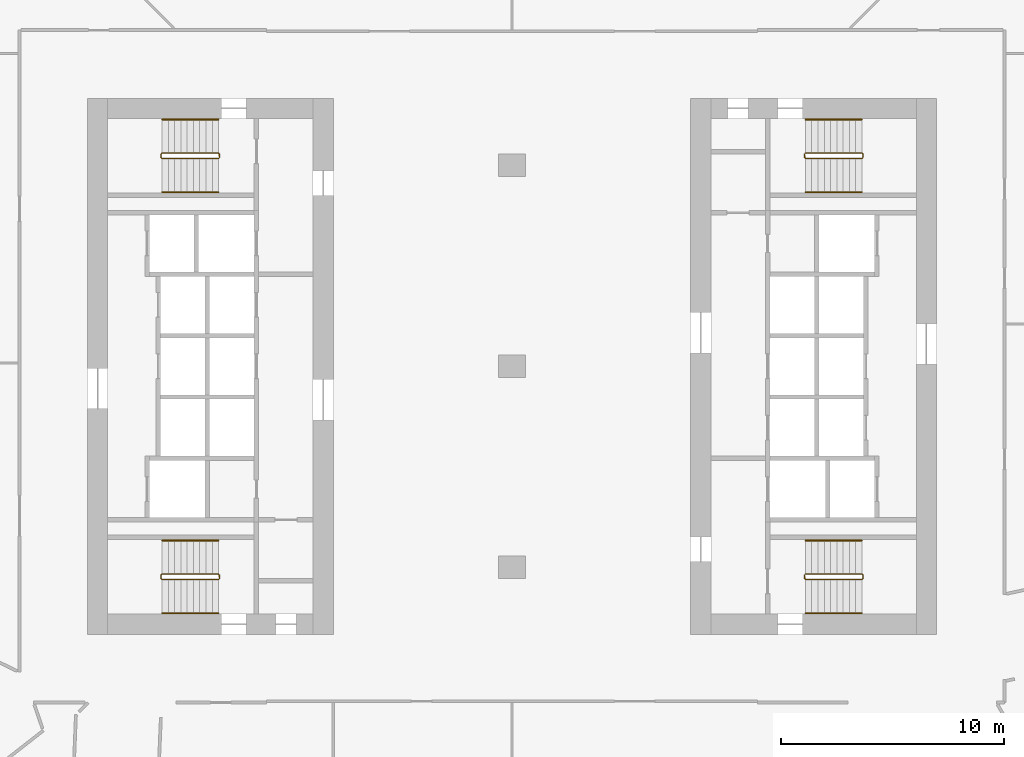
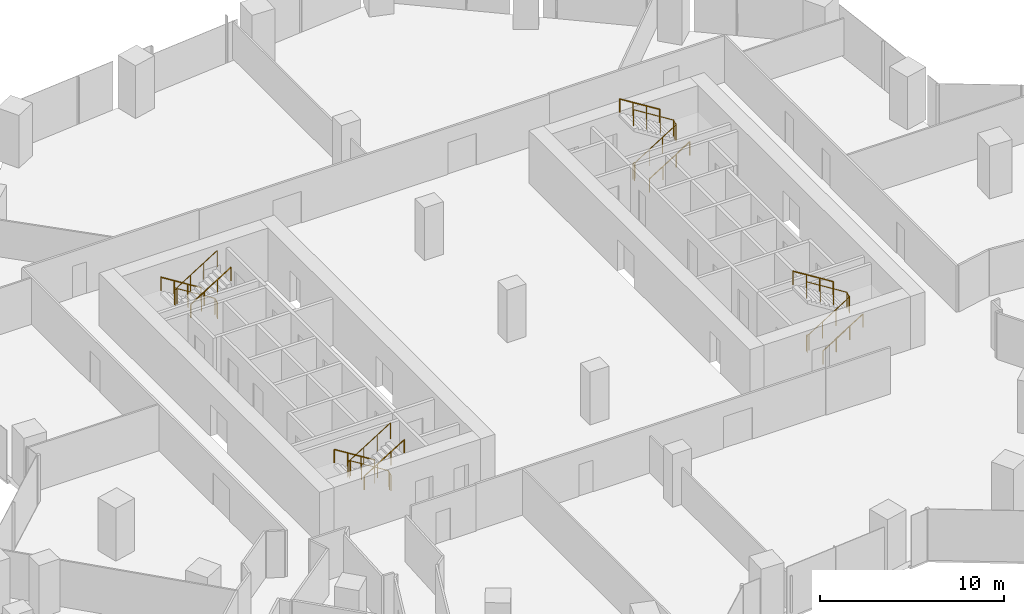
# One storey, part 33 of 33: 12 railings.
"""IFC4 building model written with IfcOpenShell, lengths in metres."""

from ifc_helpers import new_model, si_unit, direction, frame, origin, origin_2d, place, context, subcontext, project, spatial, circle, extrude, material, type_object, element, save


model = new_model("IFC4")

# Units and contexts
model_context = context("Model", 3, precision=1e-05, world=origin(), true_north=direction((0.0, 1.0)))
body_context = subcontext(model_context, "Body", "Model", "MODEL_VIEW")
ifc_project = project(units=[si_unit("LENGTHUNIT", "METRE"), si_unit("AREAUNIT", "SQUARE_METRE"), si_unit("VOLUMEUNIT", "CUBIC_METRE"), si_unit("PLANEANGLEUNIT", "RADIAN"), si_unit("MASSUNIT", "GRAM", prefix="KILO")], contexts=[model_context])

# Site, building, storey
site_placement = place(None, origin())
site = spatial("IfcSite", under=ifc_project, at=site_placement, CompositionType="ELEMENT")
building_placement = place(site_placement, origin())
building = spatial("IfcBuilding", under=site, at=building_placement, Name="Orlundy Tower", CompositionType="ELEMENT")
storey_placement = place(building_placement, frame((0.0, 0.0, 51.300048828125)))
storey = spatial("IfcBuildingStorey", under=building, at=storey_placement, Name="L11", CompositionType="ELEMENT", Elevation=51.300048828125)

# Railings
ifc_material_1 = material(Name="Steel balustrade", Category="steel")
railing_type_1 = type_object("IfcRailingType", Name="Stair Guard 1100", PredefinedType="GUARDRAIL", material=ifc_material_1)
railing_1_placement = place(storey_placement, frame((-13.090087890625, 9.5, 0.0)))
element("IfcRailing", 1, at=railing_1_placement, inside=storey, type_object=railing_type_1, Name="L11 ST-W1 stair guard 1", PredefinedType="GUARDRAIL", context=body_context, shape_type="SweptSolid", body=[
    extrude(circle(Radius=0.02392578125, at=origin_2d()), frame((0.0, 0.0, 1.076171875), z_axis=(0.0, -1.0, 0.0), x_axis=(1.0, 0.0, 0.0)), (0.0, 0.0, 1.0), 0.14990234375),
    extrude(circle(Radius=0.02392578125, at=origin_2d()), frame((0.0, -0.14990234375, 1.076171875), z_axis=(-0.18420542264, 0.739530593833, 0.647427882513), x_axis=(-0.970351222016, -0.241699205484, 0.0)), (0.0, 0.0, 1.0), 0.270263671875),
    extrude(circle(Radius=0.02392578125, at=origin_2d()), frame((-0.0498046875, 0.050048828125, 1.2509765625), z_axis=(-0.848007534815, 0.0, 0.529984170421), x_axis=(0.0, -1.0, 0.0)), (0.0, 0.0, 1.0), 2.9716796875),
    extrude(circle(Radius=0.02392578125, at=origin_2d()), frame((-2.56982421875, 0.050048828125, 2.826171875), z_axis=(-0.707106781187, -0.707106781187, 0.0), x_axis=(0.707106781187, -0.707106781187, 0.0)), (0.0, 0.0, 1.0), 0.07080078125),
    extrude(circle(Radius=0.02392578125, at=origin_2d()), frame((-2.619873046875, 0.0, 2.826171875), z_axis=(0.0, -1.0, 0.0), x_axis=(1.0, 0.0, 0.0)), (0.0, 0.0, 1.0), 0.14990234375),
    extrude(circle(Radius=0.02392578125, at=origin_2d()), frame((-2.619873046875, -0.14990234375, 2.826171875), z_axis=(0.265065253269, -0.265065253269, 0.927081885822), x_axis=(0.707106781187, 0.707106781187, 0.0)), (0.0, 0.0, 1.0), 0.188720703125),
    extrude(circle(Radius=0.02392578125, at=origin_2d()), frame((-2.56982421875, -0.199951171875, 3.0009765625), z_axis=(0.848007534815, 0.0, 0.529984170421), x_axis=(0.0, 1.0, 0.0)), (0.0, 0.0, 1.0), 2.9716796875),
    extrude(circle(Radius=0.02099609375, at=origin_2d()), origin(), (0.0, 0.0, 1.0), 1.052001953125),
    extrude(circle(Radius=0.02099609375, at=origin_2d()), frame((0.0, -0.14990234375, 0.0)), (0.0, 0.0, 1.0), 1.052001953125),
    extrude(circle(Radius=0.02099609375, at=origin_2d()), frame((-0.0498046875, 0.050048828125, 0.175048828125)), (0.0, 0.0, 1.0), 1.052001953125),
    extrude(circle(Radius=0.02099609375, at=origin_2d()), frame((-0.889892578125, 0.050048828125, 0.699951171875)), (0.0, 0.0, 1.0), 1.052001953125),
    extrude(circle(Radius=0.02099609375, at=origin_2d()), frame((-1.729736328125, 0.050048828125, 1.22509765625)), (0.0, 0.0, 1.0), 1.052001953125),
    extrude(circle(Radius=0.02099609375, at=origin_2d()), frame((-2.56982421875, 0.050048828125, 1.75)), (0.0, 0.0, 1.0), 1.052001953125),
    extrude(circle(Radius=0.02099609375, at=origin_2d()), frame((-2.619873046875, 0.0, 1.75)), (0.0, 0.0, 1.0), 1.052001953125),
    extrude(circle(Radius=0.02099609375, at=origin_2d()), frame((-2.619873046875, -0.14990234375, 1.75)), (0.0, 0.0, 1.0), 1.052001953125),
    extrude(circle(Radius=0.02099609375, at=origin_2d()), frame((-2.56982421875, -0.199951171875, 1.925048828125)), (0.0, 0.0, 1.0), 1.052001953125),
    extrude(circle(Radius=0.02099609375, at=origin_2d()), frame((-1.729736328125, -0.199951171875, 2.449951171875)), (0.0, 0.0, 1.0), 1.052001953125),
    extrude(circle(Radius=0.02099609375, at=origin_2d()), frame((-0.889892578125, -0.199951171875, 2.97509765625)), (0.0, 0.0, 1.0), 1.052001953125),
    extrude(circle(Radius=0.02099609375, at=origin_2d()), frame((-0.0498046875, -0.199951171875, 3.5)), (0.0, 0.0, 1.0), 1.052001953125),
])
railing_2_placement = place(storey_placement, frame((-13.090087890625, -9.35009765625, 0.0)))
element("IfcRailing", 2, at=railing_2_placement, inside=storey, type_object=railing_type_1, Name="L11 ST-W2 stair guard 1", PredefinedType="GUARDRAIL", context=body_context, shape_type="SweptSolid", body=[
    extrude(circle(Radius=0.02392578125, at=origin_2d()), frame((0.0, 0.0, 1.076171875), z_axis=(0.0, -1.0, 0.0), x_axis=(1.0, 0.0, 0.0)), (0.0, 0.0, 1.0), 0.14990234375),
    extrude(circle(Radius=0.02392578125, at=origin_2d()), frame((0.0, -0.14990234375, 1.076171875), z_axis=(-0.18420542264, 0.739530593833, 0.647427882513), x_axis=(-0.970351222016, -0.241699205484, 0.0)), (0.0, 0.0, 1.0), 0.270263671875),
    extrude(circle(Radius=0.02392578125, at=origin_2d()), frame((-0.0498046875, 0.050048828125, 1.2509765625), z_axis=(-0.848007534815, 0.0, 0.529984170421), x_axis=(0.0, -1.0, 0.0)), (0.0, 0.0, 1.0), 2.9716796875),
    extrude(circle(Radius=0.02392578125, at=origin_2d()), frame((-2.56982421875, 0.050048828125, 2.826171875), z_axis=(-0.707106781187, -0.707106781187, 0.0), x_axis=(0.707106781187, -0.707106781187, 0.0)), (0.0, 0.0, 1.0), 0.07080078125),
    extrude(circle(Radius=0.02392578125, at=origin_2d()), frame((-2.619873046875, 0.0, 2.826171875), z_axis=(0.0, -1.0, 0.0), x_axis=(1.0, 0.0, 0.0)), (0.0, 0.0, 1.0), 0.14990234375),
    extrude(circle(Radius=0.02392578125, at=origin_2d()), frame((-2.619873046875, -0.14990234375, 2.826171875), z_axis=(0.265065253269, -0.265065253269, 0.927081885822), x_axis=(0.707106781187, 0.707106781187, 0.0)), (0.0, 0.0, 1.0), 0.188720703125),
    extrude(circle(Radius=0.02392578125, at=origin_2d()), frame((-2.56982421875, -0.199951171875, 3.0009765625), z_axis=(0.848007534815, 0.0, 0.529984170421), x_axis=(0.0, 1.0, 0.0)), (0.0, 0.0, 1.0), 2.9716796875),
    extrude(circle(Radius=0.02099609375, at=origin_2d()), origin(), (0.0, 0.0, 1.0), 1.052001953125),
    extrude(circle(Radius=0.02099609375, at=origin_2d()), frame((0.0, -0.14990234375, 0.0)), (0.0, 0.0, 1.0), 1.052001953125),
    extrude(circle(Radius=0.02099609375, at=origin_2d()), frame((-0.0498046875, 0.050048828125, 0.175048828125)), (0.0, 0.0, 1.0), 1.052001953125),
    extrude(circle(Radius=0.02099609375, at=origin_2d()), frame((-0.889892578125, 0.050048828125, 0.699951171875)), (0.0, 0.0, 1.0), 1.052001953125),
    extrude(circle(Radius=0.02099609375, at=origin_2d()), frame((-1.729736328125, 0.050048828125, 1.22509765625)), (0.0, 0.0, 1.0), 1.052001953125),
    extrude(circle(Radius=0.02099609375, at=origin_2d()), frame((-2.56982421875, 0.050048828125, 1.75)), (0.0, 0.0, 1.0), 1.052001953125),
    extrude(circle(Radius=0.02099609375, at=origin_2d()), frame((-2.619873046875, 0.0, 1.75)), (0.0, 0.0, 1.0), 1.052001953125),
    extrude(circle(Radius=0.02099609375, at=origin_2d()), frame((-2.619873046875, -0.14990234375, 1.75)), (0.0, 0.0, 1.0), 1.052001953125),
    extrude(circle(Radius=0.02099609375, at=origin_2d()), frame((-2.56982421875, -0.199951171875, 1.925048828125)), (0.0, 0.0, 1.0), 1.052001953125),
    extrude(circle(Radius=0.02099609375, at=origin_2d()), frame((-1.729736328125, -0.199951171875, 2.449951171875)), (0.0, 0.0, 1.0), 1.052001953125),
    extrude(circle(Radius=0.02099609375, at=origin_2d()), frame((-0.889892578125, -0.199951171875, 2.97509765625)), (0.0, 0.0, 1.0), 1.052001953125),
    extrude(circle(Radius=0.02099609375, at=origin_2d()), frame((-0.0498046875, -0.199951171875, 3.5)), (0.0, 0.0, 1.0), 1.052001953125),
])
railing_3_placement = place(storey_placement, frame((13.090087890625, -9.5, 0.0)))
element("IfcRailing", 3, at=railing_3_placement, inside=storey, type_object=railing_type_1, Name="L11 ST-E1 stair guard 1", PredefinedType="GUARDRAIL", context=body_context, shape_type="SweptSolid", body=[
    extrude(circle(Radius=0.02392578125, at=origin_2d()), frame((0.0, 0.0, 1.076171875), z_axis=(0.0, 1.0, 0.0), x_axis=(-1.0, 0.0, 0.0)), (0.0, 0.0, 1.0), 0.14990234375),
    extrude(circle(Radius=0.02392578125, at=origin_2d()), frame((0.0, 0.14990234375, 1.076171875), z_axis=(0.18420542264, -0.739530593833, 0.647427882513), x_axis=(0.970351222016, 0.241699205484, 0.0)), (0.0, 0.0, 1.0), 0.270263671875),
    extrude(circle(Radius=0.02392578125, at=origin_2d()), frame((0.0498046875, -0.050048828125, 1.2509765625), z_axis=(0.848007534815, 0.0, 0.529984170421), x_axis=(0.0, 1.0, 0.0)), (0.0, 0.0, 1.0), 2.9716796875),
    extrude(circle(Radius=0.02392578125, at=origin_2d()), frame((2.56982421875, -0.050048828125, 2.826171875), z_axis=(0.707106781187, 0.707106781187, 0.0), x_axis=(-0.707106781187, 0.707106781187, 0.0)), (0.0, 0.0, 1.0), 0.07080078125),
    extrude(circle(Radius=0.02392578125, at=origin_2d()), frame((2.619873046875, 0.0, 2.826171875), z_axis=(0.0, 1.0, 0.0), x_axis=(-1.0, 0.0, 0.0)), (0.0, 0.0, 1.0), 0.14990234375),
    extrude(circle(Radius=0.02392578125, at=origin_2d()), frame((2.619873046875, 0.14990234375, 2.826171875), z_axis=(-0.265065253269, 0.265065253269, 0.927081885822), x_axis=(-0.707106781187, -0.707106781187, 0.0)), (0.0, 0.0, 1.0), 0.188720703125),
    extrude(circle(Radius=0.02392578125, at=origin_2d()), frame((2.56982421875, 0.199951171875, 3.0009765625), z_axis=(-0.848007534815, 0.0, 0.529984170421), x_axis=(0.0, -1.0, 0.0)), (0.0, 0.0, 1.0), 2.9716796875),
    extrude(circle(Radius=0.02099609375, at=origin_2d()), origin(), (0.0, 0.0, 1.0), 1.052001953125),
    extrude(circle(Radius=0.02099609375, at=origin_2d()), frame((0.0, 0.14990234375, 0.0)), (0.0, 0.0, 1.0), 1.052001953125),
    extrude(circle(Radius=0.02099609375, at=origin_2d()), frame((0.0498046875, -0.050048828125, 0.175048828125)), (0.0, 0.0, 1.0), 1.052001953125),
    extrude(circle(Radius=0.02099609375, at=origin_2d()), frame((0.889892578125, -0.050048828125, 0.699951171875)), (0.0, 0.0, 1.0), 1.052001953125),
    extrude(circle(Radius=0.02099609375, at=origin_2d()), frame((1.729736328125, -0.050048828125, 1.22509765625)), (0.0, 0.0, 1.0), 1.052001953125),
    extrude(circle(Radius=0.02099609375, at=origin_2d()), frame((2.56982421875, -0.050048828125, 1.75)), (0.0, 0.0, 1.0), 1.052001953125),
    extrude(circle(Radius=0.02099609375, at=origin_2d()), frame((2.619873046875, 0.0, 1.75)), (0.0, 0.0, 1.0), 1.052001953125),
    extrude(circle(Radius=0.02099609375, at=origin_2d()), frame((2.619873046875, 0.14990234375, 1.75)), (0.0, 0.0, 1.0), 1.052001953125),
    extrude(circle(Radius=0.02099609375, at=origin_2d()), frame((2.56982421875, 0.199951171875, 1.925048828125)), (0.0, 0.0, 1.0), 1.052001953125),
    extrude(circle(Radius=0.02099609375, at=origin_2d()), frame((1.729736328125, 0.199951171875, 2.449951171875)), (0.0, 0.0, 1.0), 1.052001953125),
    extrude(circle(Radius=0.02099609375, at=origin_2d()), frame((0.889892578125, 0.199951171875, 2.97509765625)), (0.0, 0.0, 1.0), 1.052001953125),
    extrude(circle(Radius=0.02099609375, at=origin_2d()), frame((0.0498046875, 0.199951171875, 3.5)), (0.0, 0.0, 1.0), 1.052001953125),
])
railing_4_placement = place(storey_placement, frame((13.090087890625, 9.35009765625, 0.0)))
element("IfcRailing", 4, at=railing_4_placement, inside=storey, type_object=railing_type_1, Name="L11 ST-E2 stair guard 1", PredefinedType="GUARDRAIL", context=body_context, shape_type="SweptSolid", body=[
    extrude(circle(Radius=0.02392578125, at=origin_2d()), frame((0.0, 0.0, 1.076171875), z_axis=(0.0, 1.0, 0.0), x_axis=(-1.0, 0.0, 0.0)), (0.0, 0.0, 1.0), 0.14990234375),
    extrude(circle(Radius=0.02392578125, at=origin_2d()), frame((0.0, 0.14990234375, 1.076171875), z_axis=(0.18420542264, -0.739530593833, 0.647427882513), x_axis=(0.970351222016, 0.241699205484, 0.0)), (0.0, 0.0, 1.0), 0.270263671875),
    extrude(circle(Radius=0.02392578125, at=origin_2d()), frame((0.0498046875, -0.050048828125, 1.2509765625), z_axis=(0.848007534815, 0.0, 0.529984170421), x_axis=(0.0, 1.0, 0.0)), (0.0, 0.0, 1.0), 2.9716796875),
    extrude(circle(Radius=0.02392578125, at=origin_2d()), frame((2.56982421875, -0.050048828125, 2.826171875), z_axis=(0.707106781187, 0.707106781187, 0.0), x_axis=(-0.707106781187, 0.707106781187, 0.0)), (0.0, 0.0, 1.0), 0.07080078125),
    extrude(circle(Radius=0.02392578125, at=origin_2d()), frame((2.619873046875, 0.0, 2.826171875), z_axis=(0.0, 1.0, 0.0), x_axis=(-1.0, 0.0, 0.0)), (0.0, 0.0, 1.0), 0.14990234375),
    extrude(circle(Radius=0.02392578125, at=origin_2d()), frame((2.619873046875, 0.14990234375, 2.826171875), z_axis=(-0.265065253269, 0.265065253269, 0.927081885822), x_axis=(-0.707106781187, -0.707106781187, 0.0)), (0.0, 0.0, 1.0), 0.188720703125),
    extrude(circle(Radius=0.02392578125, at=origin_2d()), frame((2.56982421875, 0.199951171875, 3.0009765625), z_axis=(-0.848007534815, 0.0, 0.529984170421), x_axis=(0.0, -1.0, 0.0)), (0.0, 0.0, 1.0), 2.9716796875),
    extrude(circle(Radius=0.02099609375, at=origin_2d()), origin(), (0.0, 0.0, 1.0), 1.052001953125),
    extrude(circle(Radius=0.02099609375, at=origin_2d()), frame((0.0, 0.14990234375, 0.0)), (0.0, 0.0, 1.0), 1.052001953125),
    extrude(circle(Radius=0.02099609375, at=origin_2d()), frame((0.0498046875, -0.050048828125, 0.175048828125)), (0.0, 0.0, 1.0), 1.052001953125),
    extrude(circle(Radius=0.02099609375, at=origin_2d()), frame((0.889892578125, -0.050048828125, 0.699951171875)), (0.0, 0.0, 1.0), 1.052001953125),
    extrude(circle(Radius=0.02099609375, at=origin_2d()), frame((1.729736328125, -0.050048828125, 1.22509765625)), (0.0, 0.0, 1.0), 1.052001953125),
    extrude(circle(Radius=0.02099609375, at=origin_2d()), frame((2.56982421875, -0.050048828125, 1.75)), (0.0, 0.0, 1.0), 1.052001953125),
    extrude(circle(Radius=0.02099609375, at=origin_2d()), frame((2.619873046875, 0.0, 1.75)), (0.0, 0.0, 1.0), 1.052001953125),
    extrude(circle(Radius=0.02099609375, at=origin_2d()), frame((2.619873046875, 0.14990234375, 1.75)), (0.0, 0.0, 1.0), 1.052001953125),
    extrude(circle(Radius=0.02099609375, at=origin_2d()), frame((2.56982421875, 0.199951171875, 1.925048828125)), (0.0, 0.0, 1.0), 1.052001953125),
    extrude(circle(Radius=0.02099609375, at=origin_2d()), frame((1.729736328125, 0.199951171875, 2.449951171875)), (0.0, 0.0, 1.0), 1.052001953125),
    extrude(circle(Radius=0.02099609375, at=origin_2d()), frame((0.889892578125, 0.199951171875, 2.97509765625)), (0.0, 0.0, 1.0), 1.052001953125),
    extrude(circle(Radius=0.02099609375, at=origin_2d()), frame((0.0498046875, 0.199951171875, 3.5)), (0.0, 0.0, 1.0), 1.052001953125),
])
ifc_material_2 = material(Name="Steel handrail", Category="steel")
railing_type_2 = type_object("IfcRailingType", Name="Stair Handrail 900", PredefinedType="HANDRAIL", material=ifc_material_2)
railing_5_placement = place(storey_placement, frame((-13.139892578125, 11.050048828125, 0.175048828125)))
element("IfcRailing", 5, at=railing_5_placement, inside=storey, type_object=railing_type_2, Name="L11 ST-W1 stair handrail 1", PredefinedType="HANDRAIL", context=body_context, shape_type="SweptSolid", body=[
    extrude(circle(Radius=0.02392578125, at=origin_2d()), frame((0.0, 0.0, 0.8759765625), z_axis=(-0.848007534815, 0.0, 0.529984170421), x_axis=(0.0, -1.0, 0.0)), (0.0, 0.0, 1.0), 2.9716796875),
    extrude(circle(Radius=0.02099609375, at=origin_2d()), origin(), (0.0, 0.0, 1.0), 0.851806640625),
    extrude(circle(Radius=0.02099609375, at=origin_2d()), frame((-0.840087890625, 0.0, 0.52490234375)), (0.0, 0.0, 1.0), 0.851806640625),
    extrude(circle(Radius=0.02099609375, at=origin_2d()), frame((-1.679931640625, 0.0, 1.050048828125)), (0.0, 0.0, 1.0), 0.851806640625),
    extrude(circle(Radius=0.02099609375, at=origin_2d()), frame((-2.52001953125, 0.0, 1.574951171875)), (0.0, 0.0, 1.0), 0.851806640625),
])
railing_6_placement = place(storey_placement, frame((-15.659912109375, 7.800048828125, 1.925048828125)))
element("IfcRailing", 6, at=railing_6_placement, inside=storey, type_object=railing_type_2, Name="L11 ST-W1 stair handrail 2", PredefinedType="HANDRAIL", context=body_context, shape_type="SweptSolid", body=[
    extrude(circle(Radius=0.02392578125, at=origin_2d()), frame((0.0, 0.0, 0.8759765625), z_axis=(0.848007534815, 0.0, 0.529984170421), x_axis=(0.0, 1.0, 0.0)), (0.0, 0.0, 1.0), 2.9716796875),
    extrude(circle(Radius=0.02099609375, at=origin_2d()), origin(), (0.0, 0.0, 1.0), 0.851806640625),
    extrude(circle(Radius=0.02099609375, at=origin_2d()), frame((0.840087890625, 0.0, 0.52490234375)), (0.0, 0.0, 1.0), 0.851806640625),
    extrude(circle(Radius=0.02099609375, at=origin_2d()), frame((1.679931640625, 0.0, 1.050048828125)), (0.0, 0.0, 1.0), 0.851806640625),
    extrude(circle(Radius=0.02099609375, at=origin_2d()), frame((2.52001953125, 0.0, 1.574951171875)), (0.0, 0.0, 1.0), 0.851806640625),
])
railing_7_placement = place(storey_placement, frame((-13.139892578125, -7.800048828125, 0.175048828125)))
element("IfcRailing", 7, at=railing_7_placement, inside=storey, type_object=railing_type_2, Name="L11 ST-W2 stair handrail 1", PredefinedType="HANDRAIL", context=body_context, shape_type="SweptSolid", body=[
    extrude(circle(Radius=0.02392578125, at=origin_2d()), frame((0.0, 0.0, 0.8759765625), z_axis=(-0.848007534815, 0.0, 0.529984170421), x_axis=(0.0, -1.0, 0.0)), (0.0, 0.0, 1.0), 2.9716796875),
    extrude(circle(Radius=0.02099609375, at=origin_2d()), origin(), (0.0, 0.0, 1.0), 0.851806640625),
    extrude(circle(Radius=0.02099609375, at=origin_2d()), frame((-0.840087890625, 0.0, 0.52490234375)), (0.0, 0.0, 1.0), 0.851806640625),
    extrude(circle(Radius=0.02099609375, at=origin_2d()), frame((-1.679931640625, 0.0, 1.050048828125)), (0.0, 0.0, 1.0), 0.851806640625),
    extrude(circle(Radius=0.02099609375, at=origin_2d()), frame((-2.52001953125, 0.0, 1.574951171875)), (0.0, 0.0, 1.0), 0.851806640625),
])
for number, where, name in (
    (8, (-15.659912109375, -11.050048828125, 1.925048828125), "L11 ST-W2 stair handrail 2"),
    (9, (13.139892578125, -11.050048828125, 0.175048828125), "L11 ST-E1 stair handrail 1"),
):
    element("IfcRailing", number, at=place(storey_placement, frame(where)), inside=storey, type_object=railing_type_2, Name=name, PredefinedType="HANDRAIL", context=body_context, shape_type="SweptSolid", body=[
        extrude(circle(Radius=0.02392578125, at=origin_2d()), frame((0.0, 0.0, 0.8759765625), z_axis=(0.848007534815, 0.0, 0.529984170421), x_axis=(0.0, 1.0, 0.0)), (0.0, 0.0, 1.0), 2.9716796875),
        extrude(circle(Radius=0.02099609375, at=origin_2d()), origin(), (0.0, 0.0, 1.0), 0.851806640625),
        extrude(circle(Radius=0.02099609375, at=origin_2d()), frame((0.840087890625, 0.0, 0.52490234375)), (0.0, 0.0, 1.0), 0.851806640625),
        extrude(circle(Radius=0.02099609375, at=origin_2d()), frame((1.679931640625, 0.0, 1.050048828125)), (0.0, 0.0, 1.0), 0.851806640625),
        extrude(circle(Radius=0.02099609375, at=origin_2d()), frame((2.52001953125, 0.0, 1.574951171875)), (0.0, 0.0, 1.0), 0.851806640625),
    ])
railing_8_placement = place(storey_placement, frame((15.659912109375, -7.800048828125, 1.925048828125)))
element("IfcRailing", 10, at=railing_8_placement, inside=storey, type_object=railing_type_2, Name="L11 ST-E1 stair handrail 2", PredefinedType="HANDRAIL", context=body_context, shape_type="SweptSolid", body=[
    extrude(circle(Radius=0.02392578125, at=origin_2d()), frame((0.0, 0.0, 0.8759765625), z_axis=(-0.848007534815, 0.0, 0.529984170421), x_axis=(0.0, -1.0, 0.0)), (0.0, 0.0, 1.0), 2.9716796875),
    extrude(circle(Radius=0.02099609375, at=origin_2d()), origin(), (0.0, 0.0, 1.0), 0.851806640625),
    extrude(circle(Radius=0.02099609375, at=origin_2d()), frame((-0.840087890625, 0.0, 0.52490234375)), (0.0, 0.0, 1.0), 0.851806640625),
    extrude(circle(Radius=0.02099609375, at=origin_2d()), frame((-1.679931640625, 0.0, 1.050048828125)), (0.0, 0.0, 1.0), 0.851806640625),
    extrude(circle(Radius=0.02099609375, at=origin_2d()), frame((-2.52001953125, 0.0, 1.574951171875)), (0.0, 0.0, 1.0), 0.851806640625),
])
railing_9_placement = place(storey_placement, frame((13.139892578125, 7.800048828125, 0.175048828125)))
element("IfcRailing", 11, at=railing_9_placement, inside=storey, type_object=railing_type_2, Name="L11 ST-E2 stair handrail 1", PredefinedType="HANDRAIL", context=body_context, shape_type="SweptSolid", body=[
    extrude(circle(Radius=0.02392578125, at=origin_2d()), frame((0.0, 0.0, 0.8759765625), z_axis=(0.848007534815, 0.0, 0.529984170421), x_axis=(0.0, 1.0, 0.0)), (0.0, 0.0, 1.0), 2.9716796875),
    extrude(circle(Radius=0.02099609375, at=origin_2d()), origin(), (0.0, 0.0, 1.0), 0.851806640625),
    extrude(circle(Radius=0.02099609375, at=origin_2d()), frame((0.840087890625, 0.0, 0.52490234375)), (0.0, 0.0, 1.0), 0.851806640625),
    extrude(circle(Radius=0.02099609375, at=origin_2d()), frame((1.679931640625, 0.0, 1.050048828125)), (0.0, 0.0, 1.0), 0.851806640625),
    extrude(circle(Radius=0.02099609375, at=origin_2d()), frame((2.52001953125, 0.0, 1.574951171875)), (0.0, 0.0, 1.0), 0.851806640625),
])
railing_10_placement = place(storey_placement, frame((15.659912109375, 11.050048828125, 1.925048828125)))
element("IfcRailing", 12, at=railing_10_placement, inside=storey, type_object=railing_type_2, Name="L11 ST-E2 stair handrail 2", PredefinedType="HANDRAIL", context=body_context, shape_type="SweptSolid", body=[
    extrude(circle(Radius=0.02392578125, at=origin_2d()), frame((0.0, 0.0, 0.8759765625), z_axis=(-0.848007534815, 0.0, 0.529984170421), x_axis=(0.0, -1.0, 0.0)), (0.0, 0.0, 1.0), 2.9716796875),
    extrude(circle(Radius=0.02099609375, at=origin_2d()), origin(), (0.0, 0.0, 1.0), 0.851806640625),
    extrude(circle(Radius=0.02099609375, at=origin_2d()), frame((-0.840087890625, 0.0, 0.52490234375)), (0.0, 0.0, 1.0), 0.851806640625),
    extrude(circle(Radius=0.02099609375, at=origin_2d()), frame((-1.679931640625, 0.0, 1.050048828125)), (0.0, 0.0, 1.0), 0.851806640625),
    extrude(circle(Radius=0.02099609375, at=origin_2d()), frame((-2.52001953125, 0.0, 1.574951171875)), (0.0, 0.0, 1.0), 0.851806640625),
])

save(model, "model.ifc")
